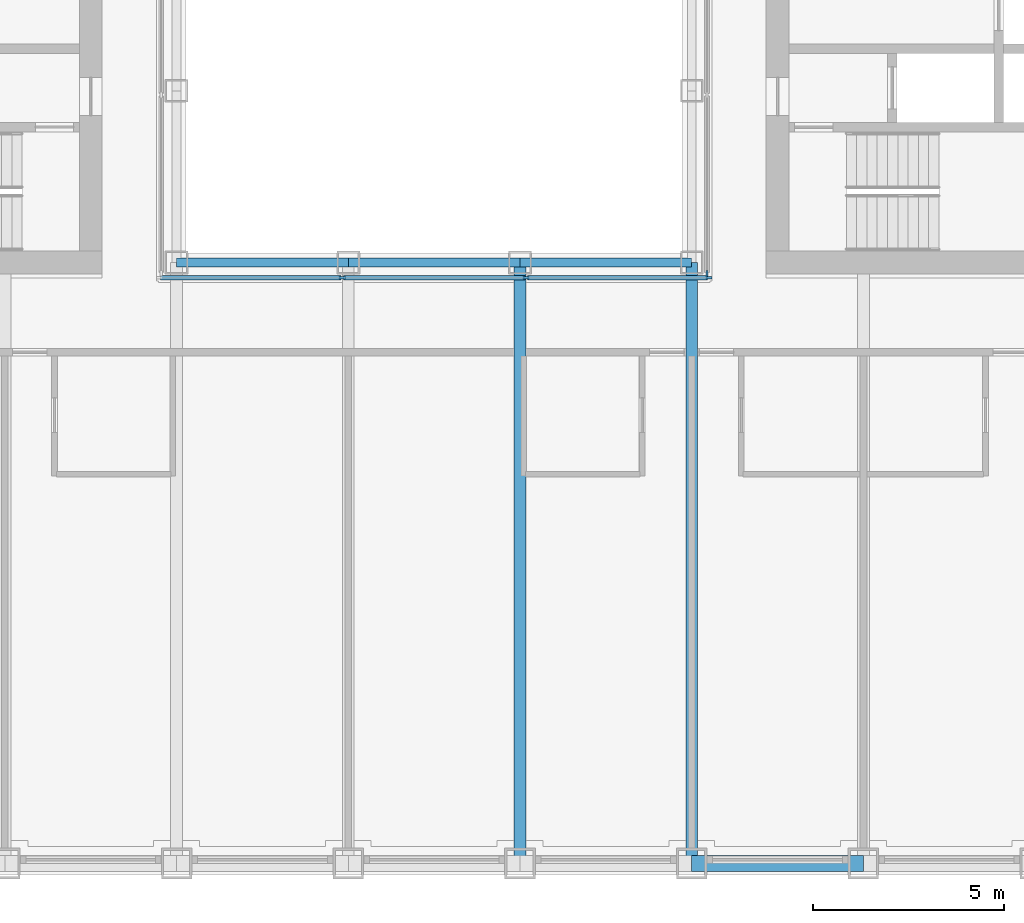
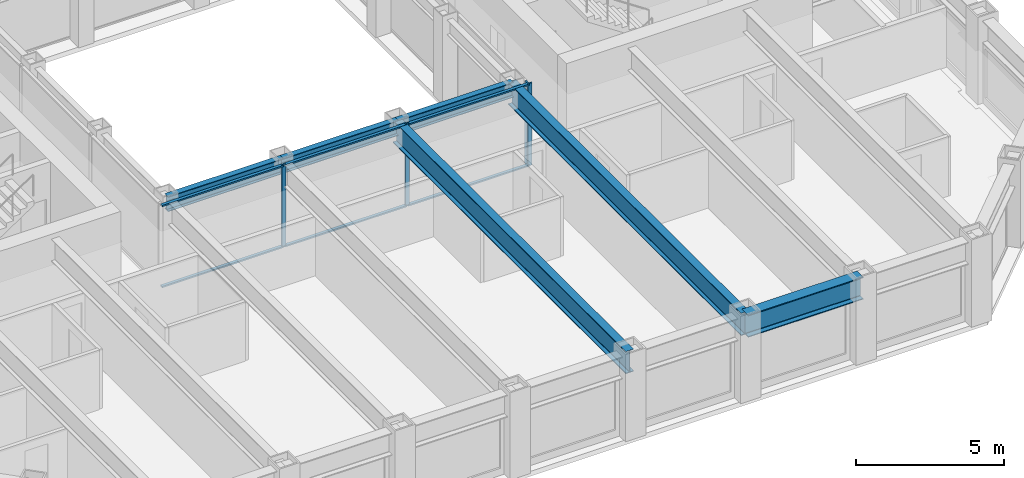
# One storey, part 3 of 17: 10 members, 6 beams, 2 elements without a shape of their own.
"""IFC4 building model written with IfcOpenShell, lengths in metres."""

from ifc_helpers import new_model, si_unit, direction, frame, origin, origin_2d, place, context, subcontext, project, spatial, rectangle, i_section, extrude, material, material_profile, profile_set, type_object, element, aggregate, save


model = new_model("IFC4")

# Units and contexts
model_context = context("Model", 3, precision=1e-05, world=origin(), true_north=direction((0.0, 1.0)))
body_context = subcontext(model_context, "Body", "Model", "MODEL_VIEW")
ifc_project = project(units=[si_unit("LENGTHUNIT", "METRE"), si_unit("AREAUNIT", "SQUARE_METRE"), si_unit("VOLUMEUNIT", "CUBIC_METRE"), si_unit("PLANEANGLEUNIT", "RADIAN"), si_unit("MASSUNIT", "GRAM", prefix="KILO")], contexts=[model_context])

# Site, building, storey
site_placement = place(None, origin())
site = spatial("IfcSite", under=ifc_project, at=site_placement, CompositionType="ELEMENT")
building_placement = place(site_placement, origin())
building = spatial("IfcBuilding", under=site, at=building_placement, Name="Msasa Ring Tower", CompositionType="ELEMENT")
storey_placement = place(building_placement, frame((0.0, 0.0, 136.39990234375)))
storey = spatial("IfcBuildingStorey", under=building, at=storey_placement, Name="L35", CompositionType="ELEMENT", Elevation=136.39990234375)

# Curtain wall, members
ifc_material_1 = material(Name="Aluminium curtain wall with clear glass", Category="aluminium")
curtain_wall_type = type_object("IfcCurtainWallType", Name="CW-W LIGHT WELL CURTAIN WALL", PredefinedType="NOTDEFINED", material=ifc_material_1)
curtain_wall_1_placement = place(storey_placement, origin())
curtain_wall_1 = element("IfcCurtainWall", 1, at=curtain_wall_1_placement, inside=storey, type_object=curtain_wall_type, Name="Light well curtain wall S L35", PredefinedType="NOTDEFINED")
ifc_material_2 = material(Name="Aluminium mullion", Category="aluminium")
ifc_material_profile_1 = material_profile(ifc_material_2, rectangle(XDim=0.06005859375, YDim=0.159912109375, at=origin_2d()), Name="AL 60x160")
ifc_profile_set_1 = profile_set([ifc_material_profile_1], Name="Aluminium mullion")
member_type_1 = type_object("IfcMemberType", Name="CW-W MULLION 60x160", PredefinedType="MULLION", material=ifc_profile_set_1)
member_1_placement = place(storey_placement, frame((-2.409912109375, -7.14990234375, 0.0), z_axis=(0.0, 0.0, 1.0), x_axis=(0.0, 1.0, 0.0)))
member_1 = element("IfcMember", 2, at=member_1_placement, type_object=member_type_1, Name="CW-W mullion 2", PredefinedType="MULLION", context=body_context, shape_type="SweptSolid", body=[
    extrude(rectangle(XDim=0.06005859375, YDim=0.159912109375, at=origin_2d()), origin(), (0.0, 0.0, 1.0), 3.400146484375),
])
member_2_placement = place(storey_placement, frame((2.409912109375, -7.14990234375, 0.0), z_axis=(0.0, 0.0, 1.0), x_axis=(0.0, 1.0, 0.0)))
member_2 = element("IfcMember", 3, at=member_2_placement, type_object=member_type_1, Name="CW-W mullion 3", PredefinedType="MULLION", context=body_context, shape_type="SweptSolid", body=[
    extrude(rectangle(XDim=0.06005859375, YDim=0.159912109375, at=origin_2d()), origin(), (0.0, 0.0, 1.0), 3.400146484375),
])
member_3_placement = place(storey_placement, frame((7.199951171875, -7.14990234375, 0.0), z_axis=(0.0, 0.0, 1.0), x_axis=(0.0, 1.0, 0.0)))
member_3 = element("IfcMember", 4, at=member_3_placement, type_object=member_type_1, Name="CW-W mullion 4", PredefinedType="MULLION", context=body_context, shape_type="SweptSolid", body=[
    extrude(rectangle(XDim=0.06005859375, YDim=0.159912109375, at=origin_2d()), origin(), (0.0, 0.0, 1.0), 3.400146484375),
])

# Curtain wall, member
curtain_wall_2_placement = place(storey_placement, origin())
curtain_wall_2 = element("IfcCurtainWall", 5, at=curtain_wall_2_placement, inside=storey, type_object=curtain_wall_type, Name="Light well curtain wall E L35", PredefinedType="NOTDEFINED")
member_4_placement = place(storey_placement, frame((7.14990234375, -7.0400390625, 0.0), z_axis=(0.0, 0.0, 1.0), x_axis=(-1.0, 0.0, 0.0)))
member_4 = element("IfcMember", 6, at=member_4_placement, type_object=member_type_1, Name="CW-W mullion 1", PredefinedType="MULLION", context=body_context, shape_type="SweptSolid", body=[
    extrude(rectangle(XDim=0.06005859375, YDim=0.159912109375, at=origin_2d()), origin(), (0.0, 0.0, 1.0), 3.400146484375),
])
aggregate(curtain_wall_2, [member_4])

# Member
ifc_material_3 = material(Name="Aluminium transom", Category="aluminium")
ifc_material_profile_2 = material_profile(ifc_material_3, rectangle(XDim=0.1201171875, YDim=0.06005859375, at=origin_2d()), Name="AL 60x120")
ifc_profile_set_2 = profile_set([ifc_material_profile_2], Name="Aluminium transom")
member_type_2 = type_object("IfcMemberType", Name="CW-W TRANSOM 60x120", PredefinedType="USERDEFINED", material=ifc_profile_set_2)
member_5_placement = place(storey_placement, frame((-7.169921875, -7.14990234375, 0.030029296875), z_axis=(1.0, 0.0, 0.0), x_axis=(0.0, 1.0, 0.0)))
member_5 = element("IfcMember", 7, at=member_5_placement, type_object=member_type_2, Name="CW-W transom 1.1", ObjectType="TRANSOM", PredefinedType="USERDEFINED", context=body_context, shape_type="SweptSolid", body=[
    extrude(rectangle(XDim=0.1201171875, YDim=0.06005859375, at=origin_2d()), origin(), (0.0, 0.0, 1.0), 4.72998046875),
])

member_6_placement = place(storey_placement, frame((-7.169921875, -7.14990234375, 3.3701171875), z_axis=(1.0, 0.0, 0.0), x_axis=(0.0, 1.0, 0.0)))
member_6 = element("IfcMember", 8, at=member_6_placement, type_object=member_type_2, Name="CW-W transom 1.2", ObjectType="TRANSOM", PredefinedType="USERDEFINED", context=body_context, shape_type="SweptSolid", body=[
    extrude(rectangle(XDim=0.1201171875, YDim=0.06005859375, at=origin_2d()), origin(), (0.0, 0.0, 1.0), 4.72998046875),
])

member_7_placement = place(storey_placement, frame((-2.3798828125, -7.14990234375, 0.030029296875), z_axis=(1.0, 0.0, 0.0), x_axis=(0.0, 1.0, 0.0)))
member_7 = element("IfcMember", 9, at=member_7_placement, type_object=member_type_2, Name="CW-W transom 2.1", ObjectType="TRANSOM", PredefinedType="USERDEFINED", context=body_context, shape_type="SweptSolid", body=[
    extrude(rectangle(XDim=0.1201171875, YDim=0.06005859375, at=origin_2d()), origin(), (0.0, 0.0, 1.0), 4.759765625),
])

member_8_placement = place(storey_placement, frame((-2.3798828125, -7.14990234375, 3.3701171875), z_axis=(1.0, 0.0, 0.0), x_axis=(0.0, 1.0, 0.0)))
member_8 = element("IfcMember", 10, at=member_8_placement, type_object=member_type_2, Name="CW-W transom 2.2", ObjectType="TRANSOM", PredefinedType="USERDEFINED", context=body_context, shape_type="SweptSolid", body=[
    extrude(rectangle(XDim=0.1201171875, YDim=0.06005859375, at=origin_2d()), origin(), (0.0, 0.0, 1.0), 4.759765625),
])

member_9_placement = place(storey_placement, frame((2.43994140625, -7.14990234375, 0.030029296875), z_axis=(1.0, 0.0, 0.0), x_axis=(0.0, 1.0, 0.0)))
member_9 = element("IfcMember", 11, at=member_9_placement, type_object=member_type_2, Name="CW-W transom 3.1", ObjectType="TRANSOM", PredefinedType="USERDEFINED", context=body_context, shape_type="SweptSolid", body=[
    extrude(rectangle(XDim=0.1201171875, YDim=0.06005859375, at=origin_2d()), origin(), (0.0, 0.0, 1.0), 4.72998046875),
])

member_10_placement = place(storey_placement, frame((2.43994140625, -7.14990234375, 3.3701171875), z_axis=(1.0, 0.0, 0.0), x_axis=(0.0, 1.0, 0.0)))
member_10 = element("IfcMember", 12, at=member_10_placement, type_object=member_type_2, Name="CW-W transom 3.2", ObjectType="TRANSOM", PredefinedType="USERDEFINED", context=body_context, shape_type="SweptSolid", body=[
    extrude(rectangle(XDim=0.1201171875, YDim=0.06005859375, at=origin_2d()), origin(), (0.0, 0.0, 1.0), 4.72998046875),
])

aggregate(curtain_wall_1, [member_1, member_2, member_3, member_5, member_6, member_7, member_8, member_9, member_10])

# Beams
ifc_material_4 = material(Name="Steel S355", Category="steel")
ifc_material_profile_3 = material_profile(ifc_material_4, i_section(OverallWidth=0.3076171875, OverallDepth=0.926513671875, WebThickness=0.01953125, FlangeThickness=0.031982421875, FilletRadius=0.01904296875, at=origin_2d()), Name="UB 914x305x289")
ifc_profile_set_3 = profile_set([ifc_material_profile_3], Name="Steel S355")
beam_type_1 = type_object("IfcBeamType", Name="FB3 UB 914x305x289", PredefinedType="BEAM", material=ifc_profile_set_3)
for number, where, z_axis, x_axis, name in (
    (13, (2.25, -22.5, 2.936767578125), (0.0, 1.0, 0.0), (-1.0, 0.0, 0.0), "Floor beam S+2.25 under L36"),
    (14, (6.75, -22.5, 2.936767578125), (0.0, 1.0, 0.0), (-1.0, 0.0, 0.0), "Floor beam S+6.75 under L36"),
):
    element("IfcBeam", number, at=place(storey_placement, frame(where, z_axis=z_axis, x_axis=x_axis)), inside=storey, type_object=beam_type_1, Name=name, PredefinedType="BEAM", context=body_context, shape_type="SweptSolid", body=[
        extrude(i_section(OverallWidth=0.3076171875, OverallDepth=0.926513671875, WebThickness=0.01953125, FlangeThickness=0.031982421875, FilletRadius=0.01904296875, at=origin_2d()), origin(), (0.0, 0.0, 1.0), 15.75),
    ])
ifc_material_5 = material(Name="Steel S355", Category="steel")
ifc_material_profile_4 = material_profile(ifc_material_5, i_section(OverallWidth=0.230224609375, OverallDepth=0.6171875, WebThickness=0.01318359375, FlangeThickness=0.022216796875, FilletRadius=0.0126953125, at=origin_2d()), Name="UB 610x229x140")
ifc_profile_set_4 = profile_set([ifc_material_profile_4], Name="Steel S355")
beam_type_2 = type_object("IfcBeamType", Name="RB1 UB 610x229x140", PredefinedType="BEAM", material=ifc_profile_set_4)
for number, where, z_axis, x_axis, name in (
    (15, (-6.75, -6.75, 3.091552734375), (1.0, 0.0, 0.0), (0.0, 1.0, 0.0), "Inner ring beam IR-6.75-6.75 under L36"),
    (16, (-2.25, -6.75, 3.091552734375), (1.0, 0.0, 0.0), (0.0, 1.0, 0.0), "Inner ring beam IR-2.25-6.75 under L36"),
    (17, (2.25, -6.75, 3.091552734375), (1.0, 0.0, 0.0), (0.0, 1.0, 0.0), "Inner ring beam IR+2.25-6.75 under L36"),
):
    element("IfcBeam", number, at=place(storey_placement, frame(where, z_axis=z_axis, x_axis=x_axis)), inside=storey, type_object=beam_type_2, Name=name, PredefinedType="BEAM", context=body_context, shape_type="SweptSolid", body=[
        extrude(i_section(OverallWidth=0.230224609375, OverallDepth=0.6171875, WebThickness=0.01318359375, FlangeThickness=0.022216796875, FilletRadius=0.0126953125, at=origin_2d()), origin(), (0.0, 0.0, 1.0), 4.5),
    ])
ifc_material_6 = material(Name="Steel S355", Category="steel")
ifc_material_profile_5 = material_profile(ifc_material_6, i_section(OverallWidth=0.42041015625, OverallDepth=0.9208984375, WebThickness=0.021484375, FlangeThickness=0.03662109375, FilletRadius=0.024169921875, at=origin_2d()), Name="UB 914x419x388")
ifc_profile_set_5 = profile_set([ifc_material_profile_5], Name="Steel S355")
beam_type_3 = type_object("IfcBeamType", Name="SB1 UB 914x419x388", PredefinedType="SPANDREL", material=ifc_profile_set_5)
beam_placement = place(storey_placement, frame((6.75, -22.5, 2.939697265625), z_axis=(1.0, 0.0, 0.0), x_axis=(0.0, 1.0, 0.0)))
element("IfcBeam", 18, at=beam_placement, inside=storey, type_object=beam_type_3, Name="Spandrel S+6.75 to S+11.25 under L36", PredefinedType="SPANDREL", context=body_context, shape_type="SweptSolid", body=[
    extrude(i_section(OverallWidth=0.42041015625, OverallDepth=0.9208984375, WebThickness=0.021484375, FlangeThickness=0.03662109375, FilletRadius=0.024169921875, at=origin_2d()), origin(), (0.0, 0.0, 1.0), 4.5),
])

save(model, "model.ifc")
